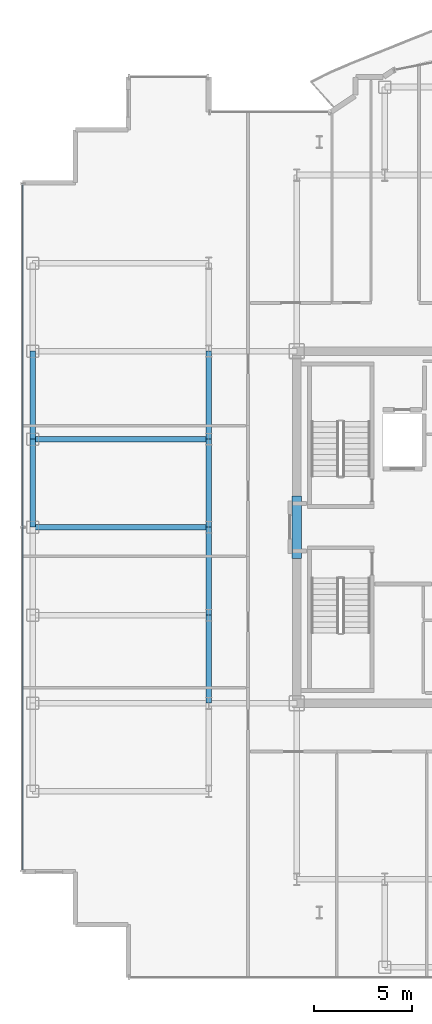
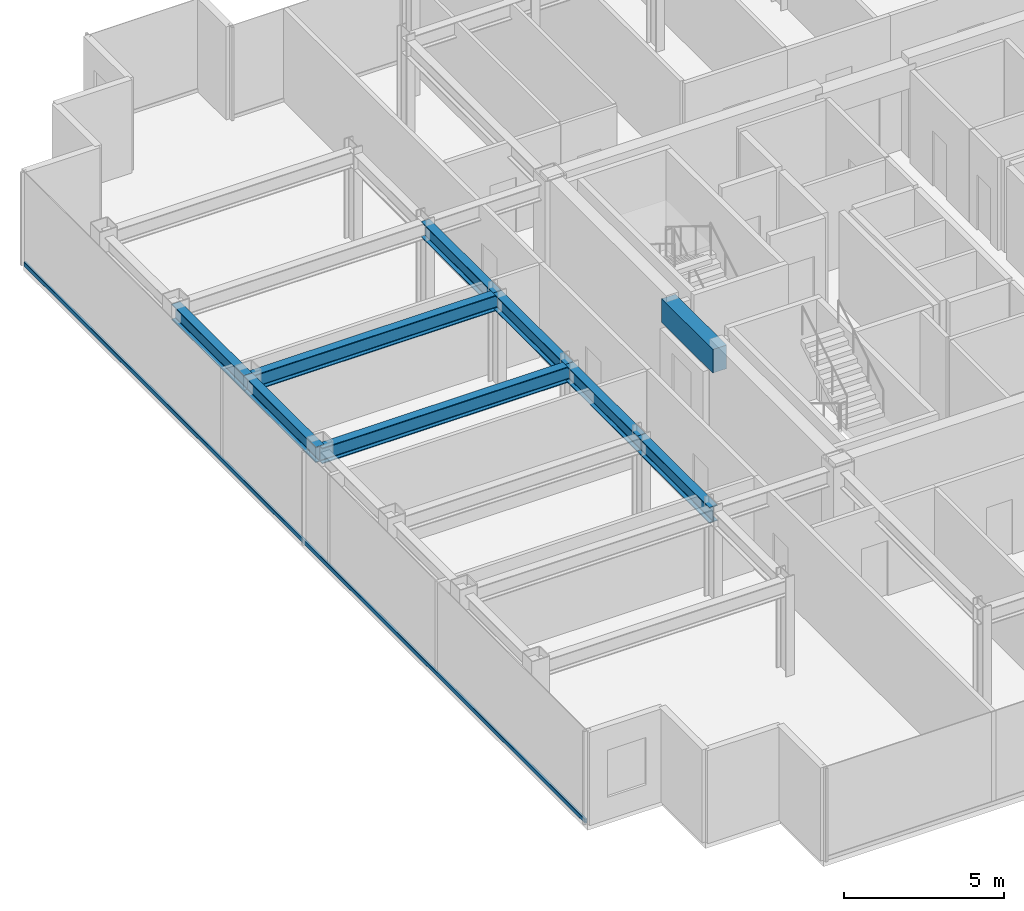
# One storey, part 5 of 18: 9 beams, 1 member, 1 element without a shape of its own.
"""IFC4 building model written with IfcOpenShell, lengths in metres."""

from ifc_helpers import new_model, si_unit, direction, frame, origin, origin_2d, place, context, subcontext, project, spatial, rectangle, hollow_rectangle, i_section, extrude, source, transform, mapped, material, layer, layer_set, material_profile, profile_set, type_object, element, aggregate, save


model = new_model("IFC4")

# Units and contexts
model_context = context("Model", 3, precision=1e-05, world=origin(), true_north=direction((0.0, 1.0)))
body_context = subcontext(model_context, "Body", "Model", "MODEL_VIEW")
ifc_project = project(units=[si_unit("LENGTHUNIT", "METRE"), si_unit("AREAUNIT", "SQUARE_METRE"), si_unit("VOLUMEUNIT", "CUBIC_METRE"), si_unit("PLANEANGLEUNIT", "RADIAN"), si_unit("MASSUNIT", "GRAM", prefix="KILO")], contexts=[model_context])

# Site, building, storey
site_placement = place(None, origin())
site = spatial("IfcSite", under=ifc_project, at=site_placement, CompositionType="ELEMENT")
building_placement = place(site_placement, origin())
building = spatial("IfcBuilding", under=site, at=building_placement, Name="Nefas-Gora Pilgrimage Tower", CompositionType="ELEMENT")
storey_placement = place(building_placement, frame((0.0, 0.0, 268.39990234375)))
storey = spatial("IfcBuildingStorey", under=building, at=storey_placement, Name="L67", CompositionType="ELEMENT", Elevation=268.39990234375)

# Beams
ifc_material_1 = material(Name="Concrete C50/60", Category="concrete")
ifc_material_profile_1 = material_profile(ifc_material_1, rectangle(XDim=0.5, YDim=0.89990234375, at=origin_2d()), Name="RC 500x900")
ifc_profile_set_1 = profile_set([ifc_material_profile_1], Name="Concrete C50/60")
beam_type_1 = type_object("IfcBeamType", Name="BM-LIN-RC900", PredefinedType="LINTEL", material=ifc_profile_set_1)
shared_shape_1 = source(origin(), body_context, "Body", "SweptSolid", [
    extrude(rectangle(XDim=0.5, YDim=0.89990234375, at=origin_2d()), origin(), (0.0, 0.0, 1.0), 3.2001953125),
])
beam_placement = place(storey_placement, frame((-11.25, -1.60009765625, 3.10009765625), z_axis=(0.0, 1.0, 0.0), x_axis=(-1.0, 0.0, 0.0)))
element("IfcBeam", 1, at=beam_placement, inside=storey, type_object=beam_type_1, Name="L67 Core Coupling Lintel Beam W", PredefinedType="LINTEL", context=body_context, shape_type="MappedRepresentation", body=[
    mapped(shared_shape_1, transform((0.0, 0.0, 0.0), x_axis=(1.0, 0.0, 0.0), y_axis=(0.0, 1.0, 0.0), z_axis=(0.0, 0.0, 1.0), scale=1.0)),
])
ifc_material_2 = material(Name="Steel S355", Category="steel")
ifc_material_profile_2 = material_profile(ifc_material_2, i_section(OverallWidth=0.300048828125, OverallDepth=0.60009765625, WebThickness=0.015380859375, FlangeThickness=0.030029296875, FilletRadius=0.027099609375, at=origin_2d()), Name="HEB 600")
ifc_profile_set_2 = profile_set([ifc_material_profile_2], Name="Steel S355")
beam_type_2 = type_object("IfcBeamType", Name="BM-SPN-HEB450", PredefinedType="SPANDREL", material=ifc_profile_set_2)
shared_shape_2 = source(origin(), body_context, "Body", "SweptSolid", [
    extrude(i_section(OverallWidth=0.300048828125, OverallDepth=0.60009765625, WebThickness=0.015380859375, FlangeThickness=0.030029296875, FilletRadius=0.027099609375, at=origin_2d()), origin(), (0.0, 0.0, 1.0), 4.5),
])
for number, where, z_axis, x_axis, name in (
    (2, (-24.75, 0.0, 3.25), (0.0, 1.0, 0.0), (-1.0, 0.0, 0.0), "L67 SP-03 beam"),
    (3, (-24.75, 4.5, 3.25), (0.0, 1.0, 0.0), (-1.0, 0.0, 0.0), "L67 SP-03 beam"),
):
    element("IfcBeam", number, at=place(storey_placement, frame(where, z_axis=z_axis, x_axis=x_axis)), inside=storey, type_object=beam_type_2, Name=name, PredefinedType="SPANDREL", context=body_context, shape_type="MappedRepresentation", body=[
        mapped(shared_shape_2, transform((0.0, 0.0, 0.0), x_axis=(1.0, 0.0, 0.0), y_axis=(0.0, 1.0, 0.0), z_axis=(0.0, 0.0, 1.0), scale=1.0)),
    ])
ifc_material_profile_3 = material_profile(ifc_material_2, i_section(OverallWidth=0.300048828125, OverallDepth=0.60009765625, WebThickness=0.015380859375, FlangeThickness=0.030029296875, FilletRadius=0.027099609375, at=origin_2d()), Name="HEB 600")
ifc_profile_set_3 = profile_set([ifc_material_profile_3], Name="Steel S355")
beam_type_3 = type_object("IfcBeamType", Name="BM-GIR-HEB600", PredefinedType="BEAM", material=ifc_profile_set_3)
shared_shape_3 = source(origin(), body_context, "Body", "SweptSolid", [
    extrude(i_section(OverallWidth=0.300048828125, OverallDepth=0.60009765625, WebThickness=0.015380859375, FlangeThickness=0.030029296875, FilletRadius=0.027099609375, at=origin_2d()), origin(), (0.0, 0.0, 1.0), 9.0),
])
for number, where, z_axis, x_axis, name in (
    (4, (-24.75, 0.0, 3.25), (1.0, 0.0, 0.0), (0.0, 1.0, 0.0), "L67 G-04 beam"),
    (5, (-24.75, 4.5, 3.25), (1.0, 0.0, 0.0), (0.0, 1.0, 0.0), "L67 G-04 beam"),
):
    element("IfcBeam", number, at=place(storey_placement, frame(where, z_axis=z_axis, x_axis=x_axis)), inside=storey, type_object=beam_type_3, Name=name, PredefinedType="BEAM", context=body_context, shape_type="MappedRepresentation", body=[
        mapped(shared_shape_3, transform((0.0, 0.0, 0.0), x_axis=(1.0, 0.0, 0.0), y_axis=(0.0, 1.0, 0.0), z_axis=(0.0, 0.0, 1.0), scale=1.0)),
    ])
shared_shape_4 = source(origin(), body_context, "Body", "SweptSolid", [
    extrude(i_section(OverallWidth=0.300048828125, OverallDepth=0.60009765625, WebThickness=0.015380859375, FlangeThickness=0.030029296875, FilletRadius=0.027099609375, at=origin_2d()), origin(), (0.0, 0.0, 1.0), 4.5),
])
for number, where, z_axis, x_axis, name in (
    (6, (-15.75, -9.0, 3.25), (0.0, 1.0, 0.0), (-1.0, 0.0, 0.0), "L67 G-04 beam"),
    (7, (-15.75, -4.5, 3.25), (0.0, 1.0, 0.0), (-1.0, 0.0, 0.0), "L67 G-04 beam"),
    (8, (-15.75, 0.0, 3.25), (0.0, 1.0, 0.0), (-1.0, 0.0, 0.0), "L67 G-04 beam"),
    (9, (-15.75, 4.5, 3.25), (0.0, 1.0, 0.0), (-1.0, 0.0, 0.0), "L67 G-04 beam"),
):
    element("IfcBeam", number, at=place(storey_placement, frame(where, z_axis=z_axis, x_axis=x_axis)), inside=storey, type_object=beam_type_3, Name=name, PredefinedType="BEAM", context=body_context, shape_type="MappedRepresentation", body=[
        mapped(shared_shape_4, transform((0.0, 0.0, 0.0), x_axis=(1.0, 0.0, 0.0), y_axis=(0.0, 1.0, 0.0), z_axis=(0.0, 0.0, 1.0), scale=1.0)),
    ])

# Curtain wall, member
ifc_material_3 = material(Name="Dark ceramic-fritted solar-control aluminium-glass curtain wall", Category="aluminium")
ifc_layer = layer(ifc_material_3, 0.219970703125)
ifc_layer_set = layer_set([ifc_layer], Name="Dark ceramic-fritted solar-control aluminium-glass curtain wall")
curtain_wall_type = type_object("IfcCurtainWallType", Name="CW-SYS-4", PredefinedType="NOTDEFINED", material=ifc_layer_set)
curtain_wall_placement = place(storey_placement, origin())
curtain_wall = element("IfcCurtainWall", 10, at=curtain_wall_placement, inside=storey, type_object=curtain_wall_type, Name="L67 Unitised Curtain Wall CW4", PredefinedType="NOTDEFINED")
ifc_material_4 = material(Name="Anodised architectural aluminium", Category="aluminium")
ifc_material_profile_4 = material_profile(ifc_material_4, hollow_rectangle(XDim=0.080078125, YDim=0.159912109375, WallThickness=0.00439453125, InnerFilletRadius=0.00439453125, OuterFilletRadius=0.009033203125, at=origin_2d()), Name="ALU TRANSOM 80x160")
ifc_profile_set_4 = profile_set([ifc_material_profile_4], Name="Anodised architectural aluminium")
member_type = type_object("IfcMemberType", Name="CWM-TRN-4", PredefinedType="USERDEFINED", material=ifc_profile_set_4)
shared_shape_5 = source(origin(), body_context, "Body", "SweptSolid", [
    extrude(hollow_rectangle(XDim=0.080078125, YDim=0.159912109375, WallThickness=0.00439453125, InnerFilletRadius=0.00439453125, OuterFilletRadius=0.009033203125, at=origin_2d()), origin(), (0.0, 0.0, 1.0), 35.06005859375),
])
member_placement = place(storey_placement, frame((-25.27001953125, 17.530029296875, 0.050048828125), z_axis=(0.0, -1.0, 0.0), x_axis=(1.0, 0.0, 0.0)))
member = element("IfcMember", 11, at=member_placement, type_object=member_type, Name="CW4 Spandrel Transom", ObjectType="TRANSOM", PredefinedType="USERDEFINED", context=body_context, shape_type="MappedRepresentation", body=[
    mapped(shared_shape_5, transform((0.0, 0.0, 0.0), x_axis=(1.0, 0.0, 0.0), y_axis=(0.0, 1.0, 0.0), z_axis=(0.0, 0.0, 1.0), scale=1.0)),
])
aggregate(curtain_wall, [member])

save(model, "model.ifc")
